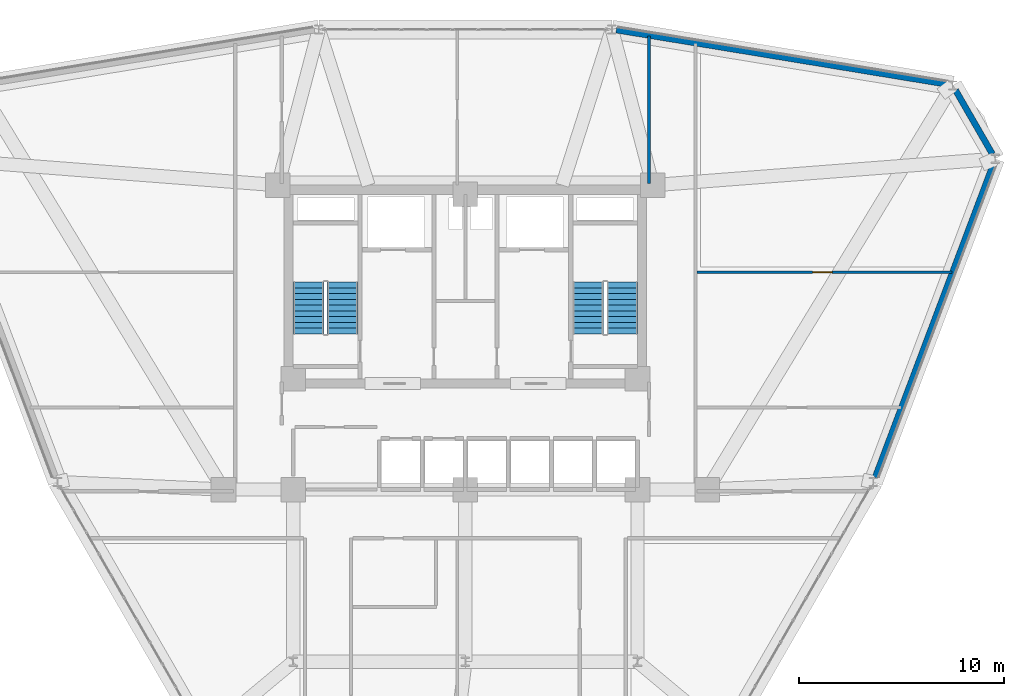
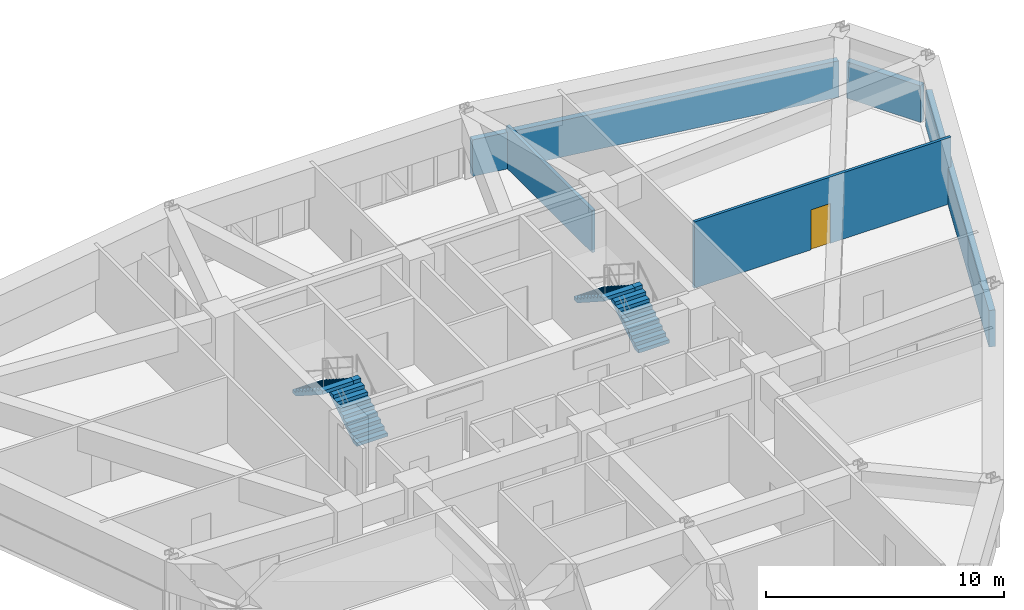
# One storey, part 14 of 16: 5 walls, 4 stair flights, 1 door, 1 opening, 2 elements without a shape of their own.
"""IFC4 building model written with IfcOpenShell, lengths in metres."""

from ifc_helpers import new_model, si_unit, derived_unit, direction, frame, frame_2d, origin, place, context, subcontext, project, spatial, polyline, rectangle, outline, extrude, material, layer, layer_set, type_object, element, fill, aggregate, save


model = new_model("IFC4")

# Units and contexts
model_context = context("Model", 3, precision=1e-05, world=origin(), true_north=direction((0.0, 1.0)))
body_context = subcontext(model_context, "Body", "Model", "MODEL_VIEW")
ifc_project = project(units=[si_unit("LENGTHUNIT", "METRE"), si_unit("AREAUNIT", "SQUARE_METRE"), si_unit("VOLUMEUNIT", "CUBIC_METRE"), si_unit("PLANEANGLEUNIT", "RADIAN"), si_unit("MASSUNIT", "GRAM", prefix="KILO"), derived_unit("THERMALTRANSMITTANCEUNIT", [(si_unit("POWERUNIT", "WATT"), 1), (si_unit("LENGTHUNIT", "METRE"), -2), (si_unit("THERMODYNAMICTEMPERATUREUNIT", "KELVIN"), -1)])], contexts=[model_context])

# Site, building, storey
site_placement = place(None, origin())
site = spatial("IfcSite", under=ifc_project, at=site_placement, CompositionType="ELEMENT")
building_placement = place(site_placement, origin())
building = spatial("IfcBuilding", under=site, at=building_placement, Name="Korsvarv Bourse and Concert Hall", CompositionType="ELEMENT")
storey_placement = place(building_placement, frame((0.0, 0.0, 106.199951171875)))
storey = spatial("IfcBuildingStorey", under=building, at=storey_placement, Name="L26", CompositionType="ELEMENT", Elevation=106.199951171875)

# Walls
ifc_material_1 = material(Name="Precast concrete C45/55 with terracotta rainscreen", Category="concrete")
ifc_layer_1 = layer(ifc_material_1, 0.300048828125)
ifc_layer_set_1 = layer_set([ifc_layer_1], Name="Precast concrete C45/55 with terracotta rainscreen")
wall_type_1 = type_object("IfcWallType", Name="WL-EXT-TC1", PredefinedType="SOLIDWALL", material=ifc_layer_set_1)
wall_1_placement = place(storey_placement, frame((61.717041015625, 48.769287109375, 0.0), z_axis=(0.0, 0.0, 1.0), x_axis=(-0.500012057535, 0.866018442252, 0.0)))
element("IfcWall", 1, at=wall_1_placement, inside=storey, type_object=wall_type_1, Name="L26 terracotta exterior wall EW-L26-B01", PredefinedType="SOLIDWALL", context=body_context, shape_type="SweptSolid", body=[
    extrude(rectangle(XDim=3.60009765625, YDim=0.300048828125, at=frame_2d((1.800048828125, 0.0))), origin(), (0.0, 0.0, 1.0), 1.8701171875),
])
ifc_material_2 = material(Name="Precast concrete C45/55 with fluted terracotta pier", Category="concrete")
ifc_layer_2 = layer(ifc_material_2, 0.280029296875)
ifc_layer_set_2 = layer_set([ifc_layer_2], Name="Precast concrete C45/55 with fluted terracotta pier")
wall_type_2 = type_object("IfcWallType", Name="WL-EXT-TC2", PredefinedType="SOLIDWALL", material=ifc_layer_set_2)
wall_2_placement = place(storey_placement, frame((59.56884765625, 52.154541015625, 0.0), z_axis=(0.0, 0.0, 1.0), x_axis=(-0.986776921995, 0.162084256539, 0.0)))
element("IfcWall", 2, at=wall_2_placement, inside=storey, type_object=wall_type_2, Name="L26 terracotta exterior wall EW-L26-B02", PredefinedType="SOLIDWALL", context=body_context, shape_type="SweptSolid", body=[
    extrude(rectangle(XDim=16.422607421875, YDim=0.280029296875, at=frame_2d((8.21142578125, 0.0))), origin(), (0.0, 0.0, 1.0), 1.8701171875),
])
wall_3_placement = place(storey_placement, frame((55.98828125, 32.998291015625, 0.0), z_axis=(0.0, 0.0, 1.0), x_axis=(0.353021512356, 0.935615204993, 0.0)))
element("IfcWall", 3, at=wall_3_placement, inside=storey, type_object=wall_type_2, Name="L26 terracotta exterior wall EW-L26-B12", PredefinedType="SOLIDWALL", context=body_context, shape_type="SweptSolid", body=[
    extrude(rectangle(XDim=16.359130859375, YDim=0.280029296875, at=frame_2d((8.1796875, 0.0))), origin(), (0.0, 0.0, 1.0), 1.8701171875),
])
ifc_material_3 = material(Name="Double-stud fire-rated acoustic partition", Category="gypsum")
ifc_layer_3 = layer(ifc_material_3, 0.159912109375)
ifc_layer_set_3 = layer_set([ifc_layer_3], Name="Double-stud fire-rated acoustic partition")
wall_type_3 = type_object("IfcWallType", Name="WL-INT-EI60", PredefinedType="PARTITIONING", material=ifc_layer_set_3)
wall_4_placement = place(storey_placement, frame((44.965087890625, 47.340087890625, 0.0), z_axis=(0.0, 0.0, 1.0), x_axis=(0.0, 1.0, 0.0)))
element("IfcWall", 4, at=wall_4_placement, inside=storey, type_object=wall_type_3, Name="L26 interior partition wall W-L26-TCOR-13", PredefinedType="PARTITIONING", context=body_context, shape_type="SweptSolid", body=[
    extrude(rectangle(XDim=7.193115234375, YDim=0.159912109375, at=frame_2d((3.5966796875, 0.0))), origin(), (0.0, 0.0, 1.0), 2.16015625),
])

# Wall, opening, door
ifc_material_4 = material(Name="Insulated steel-stud office acoustic partition", Category="gypsum")
ifc_layer_4 = layer(ifc_material_4, 0.139892578125)
ifc_layer_set_4 = layer_set([ifc_layer_4], Name="Insulated steel-stud office acoustic partition")
wall_type_4 = type_object("IfcWallType", Name="WL-INT-P1", PredefinedType="PARTITIONING", material=ifc_layer_set_4)
wall_5_placement = place(storey_placement, frame((47.306884765625, 43.0048828125, 0.0), z_axis=(0.0, 0.0, 1.0), x_axis=(1.0, 0.0, 0.0)))
wall_5 = element("IfcWall", 5, at=wall_5_placement, inside=storey, type_object=wall_type_4, Name="L26 interior partition wall W-L26-TCOR-15", PredefinedType="PARTITIONING", context=body_context, shape_type="SweptSolid", body=[
    extrude(rectangle(XDim=12.43701171875, YDim=0.139892578125, at=frame_2d((6.218505859375, 0.0))), origin(), (0.0, 0.0, 1.0), 3.400146484375),
])
opening_placement = place(wall_5_placement, frame((5.63720703125, 0.0, 0.0)))
opening = element("IfcOpeningElement", 6, at=opening_placement, cuts=wall_5, Name="Opening D-03", PredefinedType="OPENING", context=body_context, shape_type="SweptSolid", body=[
    extrude(rectangle(XDim=0.949951171875, YDim=2.050048828125, at=frame_2d((0.47509765625, 1.02490234375))), frame((0.0, 0.080078125, 0.0), z_axis=(0.0, -1.0, 0.0), x_axis=(1.0, 0.0, 0.0)), (0.0, 0.0, 1.0), 0.159912109375),
])
ifc_material_5 = material(Name="Nordic oak acoustic office door", Category="wood")
door_type = type_object("IfcDoorType", Name="DR-INT-1", OperationType="NOTDEFINED", PredefinedType="DOOR", material=ifc_material_5)
door_placement = place(opening_placement, origin())
door = element("IfcDoor", 7, at=door_placement, inside=storey, type_object=door_type, Name="L26 interior door DR-L26-TCOR-RM33", OperationType="SINGLE_SWING_RIGHT", OverallHeight=2.050048828125, OverallWidth=0.949951171875, PredefinedType="DOOR", context=body_context, shape_type="SweptSolid", body=[
    extrude(rectangle(XDim=0.949951171875, YDim=2.050048828125, at=frame_2d((0.47509765625, 1.02490234375))), frame((0.0, 0.02490234375, 0.0), z_axis=(0.0, -1.0, 0.0), x_axis=(1.0, 0.0, 0.0)), (0.0, 0.0, 1.0), 0.050048828125),
])
fill(opening, door)

# Stair, stair flights
ifc_material_6 = material(Name="Precast concrete C45/55", Category="concrete")
stair_type = type_object("IfcStairType", Name="STR-TYPE-04", PredefinedType="HALF_TURN_STAIR", material=ifc_material_6)
stair_1_placement = place(storey_placement, origin())
stair_1 = element("IfcStair", 8, at=stair_1_placement, inside=storey, type_object=stair_type, Name="L26 Tower West Exit Stair ST-T1", PredefinedType="HALF_TURN_STAIR")
stair_flight_type = type_object("IfcStairFlightType", Name="FLT-TYPE-04", PredefinedType="STRAIGHT", material=ifc_material_6)
stair_flight_1_placement = place(storey_placement, frame((30.010009765625, 40.0, 0.0), z_axis=(0.0, 0.0, 1.0), x_axis=(0.0, 1.0, 0.0)))
stair_flight_1 = element("IfcStairFlight", 9, at=stair_flight_1_placement, type_object=stair_flight_type, Name="ST-T1 flight 1", NumberOfRisers=10, NumberOfTreads=9, PredefinedType="STRAIGHT", RiserHeight=0.18, TreadLength=0.28, context=body_context, shape_type="SweptSolid", body=[
    extrude(outline(polyline([(0.0, 0.0), (0.0, 0.179931640625), (0.280029296875, 0.179931640625), (0.280029296875, 0.360107421875), (0.56005859375, 0.360107421875), (0.56005859375, 0.5400390625), (0.840087890625, 0.5400390625), (0.840087890625, 0.719970703125), (1.1201171875, 0.719970703125), (1.1201171875, 0.89990234375), (1.39990234375, 0.89990234375), (1.39990234375, 1.080078125), (1.679931640625, 1.080078125), (1.679931640625, 1.260009765625), (1.9599609375, 1.260009765625), (1.9599609375, 1.43994140625), (2.239990234375, 1.43994140625), (2.239990234375, 1.6201171875), (2.52001953125, 1.6201171875), (2.52001953125, 1.800048828125), (2.52001953125, 1.44189453125), (0.277099609375, 0.0), (0.0, 0.0)])), frame((0.0, 0.75, 0.0), z_axis=(0.0, -1.0, 0.0), x_axis=(1.0, 0.0, 0.0)), (0.0, 0.0, 1.0), 1.5),
])
stair_flight_2_placement = place(storey_placement, frame((28.35009765625, 42.52001953125, 1.800048828125), z_axis=(0.0, 0.0, 1.0), x_axis=(0.0, -1.0, 0.0)))
stair_flight_2 = element("IfcStairFlight", 10, at=stair_flight_2_placement, type_object=stair_flight_type, Name="ST-T1 flight 2", NumberOfRisers=10, NumberOfTreads=9, PredefinedType="STRAIGHT", RiserHeight=0.18, TreadLength=0.28, context=body_context, shape_type="SweptSolid", body=[
    extrude(outline(polyline([(0.0, 0.0), (0.0, 0.179931640625), (0.280029296875, 0.179931640625), (0.280029296875, 0.360107421875), (0.56005859375, 0.360107421875), (0.56005859375, 0.5400390625), (0.840087890625, 0.5400390625), (0.840087890625, 0.719970703125), (1.1201171875, 0.719970703125), (1.1201171875, 0.89990234375), (1.39990234375, 0.89990234375), (1.39990234375, 1.080078125), (1.679931640625, 1.080078125), (1.679931640625, 1.260009765625), (1.9599609375, 1.260009765625), (1.9599609375, 1.43994140625), (2.239990234375, 1.43994140625), (2.239990234375, 1.6201171875), (2.52001953125, 1.6201171875), (2.52001953125, 1.800048828125), (2.52001953125, 1.44189453125), (0.277099609375, 0.0), (0.0, 0.0)])), frame((0.0, 0.75, 0.0), z_axis=(0.0, -1.0, 0.0), x_axis=(1.0, 0.0, 0.0)), (0.0, 0.0, 1.0), 1.5),
])
aggregate(stair_1, [stair_flight_1, stair_flight_2])

stair_2_placement = place(storey_placement, origin())
stair_2 = element("IfcStair", 11, at=stair_2_placement, inside=storey, type_object=stair_type, Name="L26 Tower East Exit Stair ST-T2", PredefinedType="HALF_TURN_STAIR")
stair_flight_3_placement = place(storey_placement, frame((43.64990234375, 40.0, 0.0), z_axis=(0.0, 0.0, 1.0), x_axis=(0.0, 1.0, 0.0)))
stair_flight_3 = element("IfcStairFlight", 12, at=stair_flight_3_placement, type_object=stair_flight_type, Name="ST-T2 flight 1", NumberOfRisers=10, NumberOfTreads=9, PredefinedType="STRAIGHT", RiserHeight=0.18, TreadLength=0.28, context=body_context, shape_type="SweptSolid", body=[
    extrude(outline(polyline([(0.0, 0.0), (0.0, 0.179931640625), (0.280029296875, 0.179931640625), (0.280029296875, 0.360107421875), (0.56005859375, 0.360107421875), (0.56005859375, 0.5400390625), (0.840087890625, 0.5400390625), (0.840087890625, 0.719970703125), (1.1201171875, 0.719970703125), (1.1201171875, 0.89990234375), (1.39990234375, 0.89990234375), (1.39990234375, 1.080078125), (1.679931640625, 1.080078125), (1.679931640625, 1.260009765625), (1.9599609375, 1.260009765625), (1.9599609375, 1.43994140625), (2.239990234375, 1.43994140625), (2.239990234375, 1.6201171875), (2.52001953125, 1.6201171875), (2.52001953125, 1.800048828125), (2.52001953125, 1.44189453125), (0.277099609375, 0.0), (0.0, 0.0)])), frame((0.0, 0.75, 0.0), z_axis=(0.0, -1.0, 0.0), x_axis=(1.0, 0.0, 0.0)), (0.0, 0.0, 1.0), 1.5),
])
stair_flight_4_placement = place(storey_placement, frame((41.989990234375, 42.52001953125, 1.800048828125), z_axis=(0.0, 0.0, 1.0), x_axis=(0.0, -1.0, 0.0)))
stair_flight_4 = element("IfcStairFlight", 13, at=stair_flight_4_placement, type_object=stair_flight_type, Name="ST-T2 flight 2", NumberOfRisers=10, NumberOfTreads=9, PredefinedType="STRAIGHT", RiserHeight=0.18, TreadLength=0.28, context=body_context, shape_type="SweptSolid", body=[
    extrude(outline(polyline([(0.0, 0.0), (0.0, 0.179931640625), (0.280029296875, 0.179931640625), (0.280029296875, 0.360107421875), (0.56005859375, 0.360107421875), (0.56005859375, 0.5400390625), (0.840087890625, 0.5400390625), (0.840087890625, 0.719970703125), (1.1201171875, 0.719970703125), (1.1201171875, 0.89990234375), (1.39990234375, 0.89990234375), (1.39990234375, 1.080078125), (1.679931640625, 1.080078125), (1.679931640625, 1.260009765625), (1.9599609375, 1.260009765625), (1.9599609375, 1.43994140625), (2.239990234375, 1.43994140625), (2.239990234375, 1.6201171875), (2.52001953125, 1.6201171875), (2.52001953125, 1.800048828125), (2.52001953125, 1.44189453125), (0.277099609375, 0.0), (0.0, 0.0)])), frame((0.0, 0.75, 0.0), z_axis=(0.0, -1.0, 0.0), x_axis=(1.0, 0.0, 0.0)), (0.0, 0.0, 1.0), 1.5),
])
aggregate(stair_2, [stair_flight_3, stair_flight_4])

save(model, "model.ifc")
